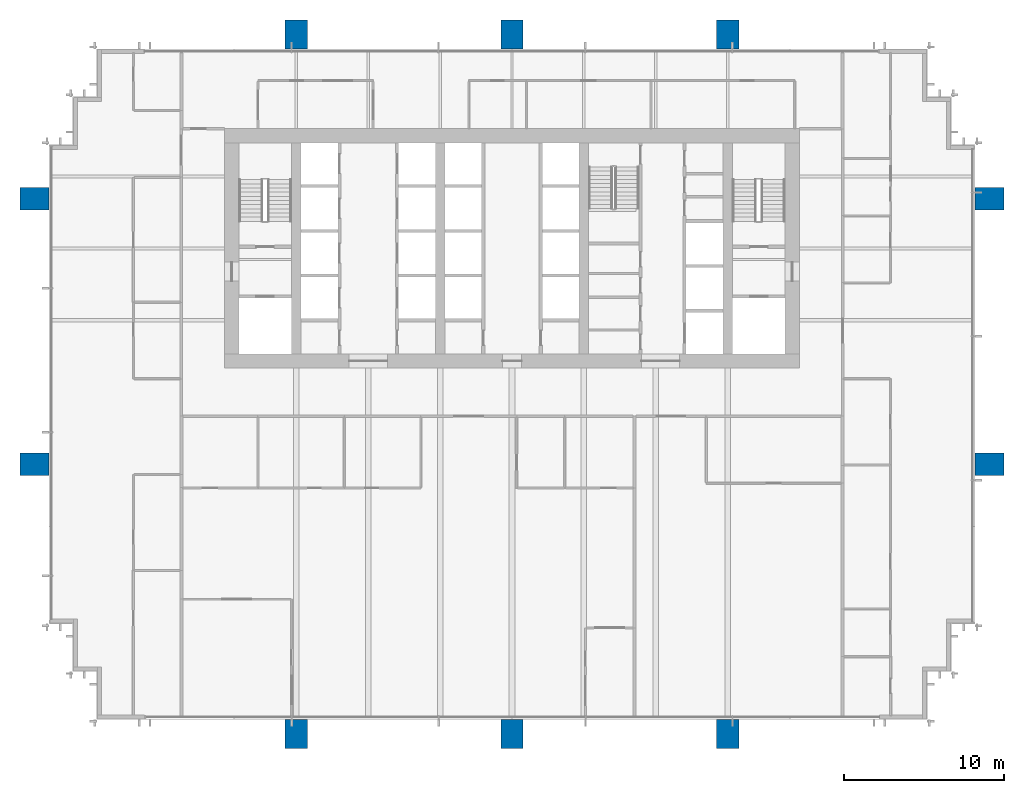
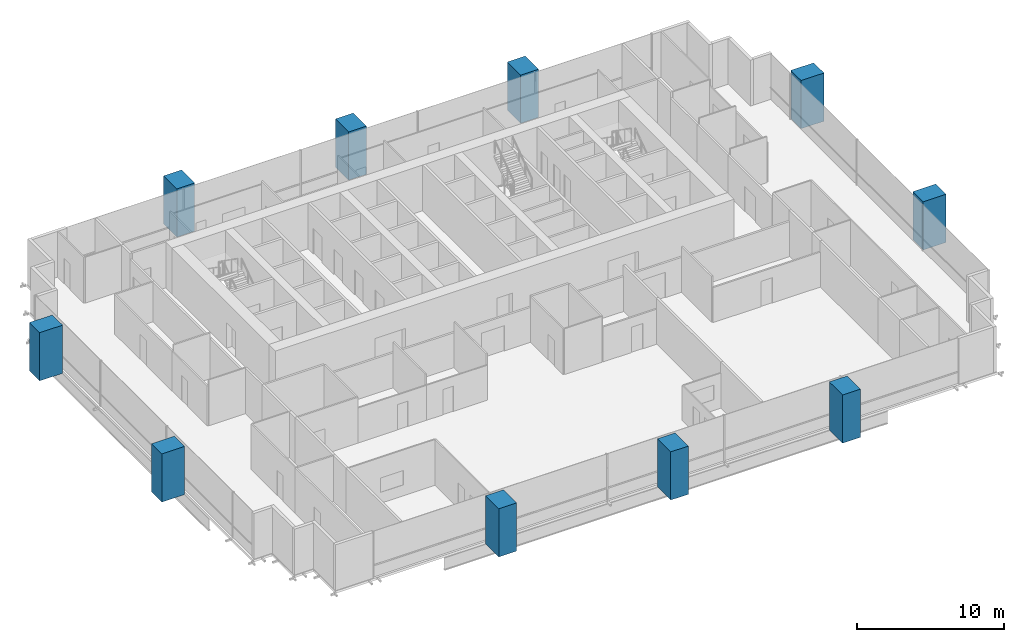
# One storey, part 1 of 16: 10 columns.
"""IFC4 building model written with IfcOpenShell, lengths in metres."""

from ifc_helpers import new_model, si_unit, direction, frame, origin, origin_2d, place, context, subcontext, project, spatial, rectangle, extrude, material, material_profile, profile_set, type_object, element, save


model = new_model("IFC4")

# Units and contexts
model_context = context("Model", 3, precision=1e-05, world=origin(), true_north=direction((0.0, 1.0)))
body_context = subcontext(model_context, "Body", "Model", "MODEL_VIEW")
ifc_project = project(units=[si_unit("LENGTHUNIT", "METRE"), si_unit("AREAUNIT", "SQUARE_METRE"), si_unit("VOLUMEUNIT", "CUBIC_METRE"), si_unit("PLANEANGLEUNIT", "RADIAN"), si_unit("MASSUNIT", "GRAM", prefix="KILO")], contexts=[model_context])

# Site, building, storey
site_placement = place(None, origin())
site = spatial("IfcSite", under=ifc_project, at=site_placement, CompositionType="ELEMENT")
building_placement = place(site_placement, origin())
building = spatial("IfcBuilding", under=site, at=building_placement, Name="Rattan Terrace Tower", CompositionType="ELEMENT")
storey_placement = place(building_placement, frame((0.0, 0.0, 130.10009765625)))
storey = spatial("IfcBuildingStorey", under=building, at=storey_placement, Name="L29", CompositionType="ELEMENT", Elevation=130.10009765625)

# Columns
ifc_material = material(Name="Concrete C50/60", Category="concrete")
ifc_material_profile = material_profile(ifc_material, rectangle(XDim=1.39990234375, YDim=1.800048828125, at=origin_2d()), Name="CFT 1800x1400")
ifc_profile_set = profile_set([ifc_material_profile], Name="Concrete C50/60")
column_type = type_object("IfcColumnType", Name="Frame exoskeleton column CFT 1800x1400", PredefinedType="COLUMN", material=ifc_profile_set)
for number, where, z_axis, x_axis, name in (
    (1, (-13.5, -30.39990234375, -0.2001953125), (0.0, 0.0, 1.0), (1.0, 0.0, 0.0), "exo-L29-001"),
    (2, (0.0, -30.39990234375, -0.2001953125), (0.0, 0.0, 1.0), (1.0, 0.0, 0.0), "exo-L29-002"),
    (3, (13.5, -30.39990234375, -0.2001953125), (0.0, 0.0, 1.0), (1.0, 0.0, 0.0), "exo-L29-003"),
    (4, (-29.89990234375, -13.5, -0.2001953125), (0.0, 0.0, 1.0), (0.0, 1.0, 0.0), "exo-L29-004"),
    (5, (29.89990234375, -13.5, -0.2001953125), (0.0, 0.0, 1.0), (0.0, 1.0, 0.0), "exo-L29-005"),
    (6, (-29.89990234375, 3.10009765625, -0.2001953125), (0.0, 0.0, 1.0), (0.0, 1.0, 0.0), "exo-L29-006"),
    (7, (29.89990234375, 3.10009765625, -0.2001953125), (0.0, 0.0, 1.0), (0.0, 1.0, 0.0), "exo-L29-007"),
    (8, (-13.5, 13.39990234375, -0.2001953125), (0.0, 0.0, 1.0), (1.0, 0.0, 0.0), "exo-L29-008"),
    (9, (0.0, 13.39990234375, -0.2001953125), (0.0, 0.0, 1.0), (1.0, 0.0, 0.0), "exo-L29-009"),
    (10, (13.5, 13.39990234375, -0.2001953125), (0.0, 0.0, 1.0), (1.0, 0.0, 0.0), "exo-L29-010"),
):
    element("IfcColumn", number, at=place(storey_placement, frame(where, z_axis=z_axis, x_axis=x_axis)), inside=storey, type_object=column_type, Name=name, PredefinedType="COLUMN", context=body_context, shape_type="SweptSolid", body=[
        extrude(rectangle(XDim=1.39990234375, YDim=1.800048828125, at=origin_2d()), origin(), (0.0, 0.0, 1.0), 4.0),
    ])

save(model, "model.ifc")
